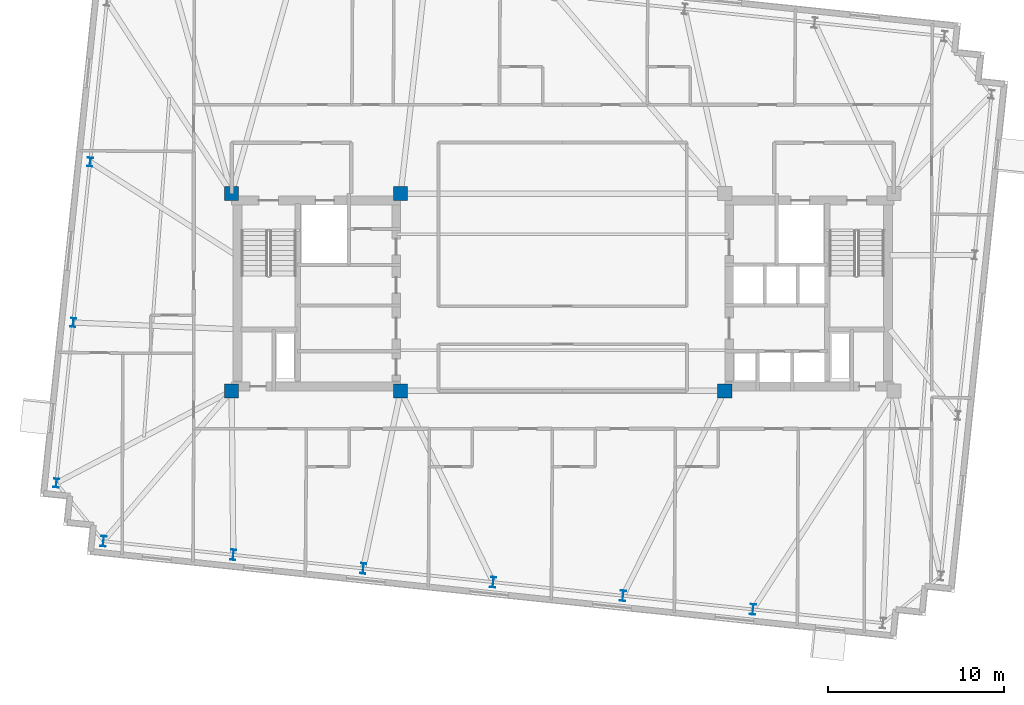
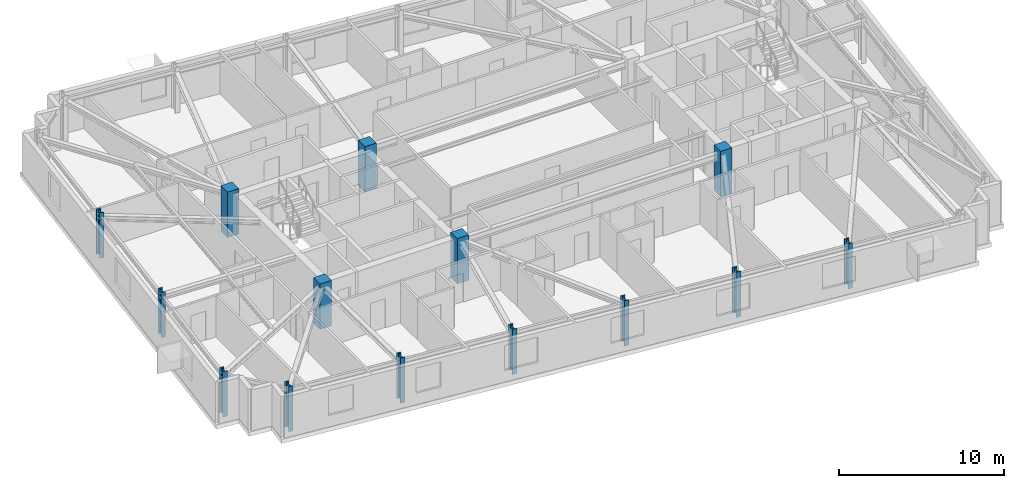
# One storey, part 1 of 11: 14 columns.
"""IFC4 building model written with IfcOpenShell, lengths in metres."""

from ifc_helpers import new_model, si_unit, direction, frame, origin, origin_2d, place, context, subcontext, project, spatial, rectangle, i_section, extrude, material, material_profile, profile_set, type_object, element, save


model = new_model("IFC4")

# Units and contexts
model_context = context("Model", 3, precision=1e-05, world=origin(), true_north=direction((0.0, 1.0)))
body_context = subcontext(model_context, "Body", "Model", "MODEL_VIEW")
ifc_project = project(units=[si_unit("LENGTHUNIT", "METRE"), si_unit("AREAUNIT", "SQUARE_METRE"), si_unit("VOLUMEUNIT", "CUBIC_METRE"), si_unit("PLANEANGLEUNIT", "RADIAN"), si_unit("MASSUNIT", "GRAM", prefix="KILO")], contexts=[model_context])

# Site, building, storey
site_placement = place(None, origin())
site = spatial("IfcSite", under=ifc_project, at=site_placement, CompositionType="ELEMENT")
building_placement = place(site_placement, origin())
building = spatial("IfcBuilding", under=site, at=building_placement, Name="Qobustan Lattice House", CompositionType="ELEMENT")
storey_placement = place(building_placement, frame((0.0, 0.0, 209.800048828125)))
storey = spatial("IfcBuildingStorey", under=building, at=storey_placement, Name="L59", CompositionType="ELEMENT", Elevation=209.800048828125)

# Columns
ifc_material_1 = material(Name="Concrete C50/60", Category="concrete")
ifc_material_profile_1 = material_profile(ifc_material_1, rectangle(XDim=0.800048828125, YDim=0.800048828125, at=origin_2d()), Name="RC800x800")
ifc_profile_set_1 = profile_set([ifc_material_profile_1], Name="Concrete C50/60")
column_type_1 = type_object("IfcColumnType", Name="COL-RC-800", PredefinedType="COLUMN", material=ifc_profile_set_1)
for number, where, z_axis, x_axis, name in (
    (1, (-18.800048828125, -5.60009765625, 0.0), (0.0, 0.0, 1.0), (1.0, 0.0, 0.0), "L59 core mega-column CW-SW"),
    (2, (-18.800048828125, 5.60009765625, 0.0), (0.0, 0.0, 1.0), (1.0, 0.0, 0.0), "L59 core mega-column CW-NW"),
    (3, (-9.199951171875, -5.60009765625, 0.0), (0.0, 0.0, 1.0), (1.0, 0.0, 0.0), "L59 core mega-column CW-SE"),
    (4, (-9.199951171875, 5.60009765625, 0.0), (0.0, 0.0, 1.0), (1.0, 0.0, 0.0), "L59 core mega-column CW-NE"),
    (5, (9.199951171875, -5.60009765625, 0.0), (0.0, 0.0, 1.0), (1.0, 0.0, 0.0), "L59 core mega-column CE-SW"),
):
    element("IfcColumn", number, at=place(storey_placement, frame(where, z_axis=z_axis, x_axis=x_axis)), inside=storey, type_object=column_type_1, Name=name, PredefinedType="COLUMN", context=body_context, shape_type="SweptSolid", body=[
        extrude(rectangle(XDim=0.800048828125, YDim=0.800048828125, at=origin_2d()), origin(), (0.0, 0.0, 1.0), 3.349853515625),
    ])
ifc_material_2 = material(Name="Steel S355", Category="steel")
ifc_material_profile_2 = material_profile(ifc_material_2, i_section(OverallWidth=0.300048828125, OverallDepth=0.5, WebThickness=0.014404296875, FlangeThickness=0.028076171875, FilletRadius=0.027099609375, at=origin_2d()), Name="HEB500")
ifc_profile_set_2 = profile_set([ifc_material_profile_2], Name="Steel S355")
column_type_2 = type_object("IfcColumnType", Name="COL-ST-HEB500", PredefinedType="COLUMN", material=ifc_profile_set_2)
for number, where, z_axis, x_axis, name in (
    (6, (-26.83251953125, 7.397705078125, 0.0), (0.0, 0.0, 1.0), (0.994521895368, -0.104528463268, 0.0), "L59 B4 perimeter column W2"),
    (7, (-27.790771484375, -1.718994140625, 0.0), (0.0, 0.0, 1.0), (0.994521895368, -0.104528463268, 0.0), "L59 B4 perimeter column W3"),
    (8, (-28.748779296875, -10.835205078125, 0.0), (0.0, 0.0, 1.0), (0.994521895368, -0.104528463268, 0.0), "L59 B4 perimeter column W4"),
):
    element("IfcColumn", number, at=place(storey_placement, frame(where, z_axis=z_axis, x_axis=x_axis)), inside=storey, type_object=column_type_2, Name=name, PredefinedType="COLUMN", context=body_context, shape_type="SweptSolid", body=[
        extrude(i_section(OverallWidth=0.300048828125, OverallDepth=0.5, WebThickness=0.014404296875, FlangeThickness=0.028076171875, FilletRadius=0.027099609375, at=origin_2d()), origin(), (0.0, 0.0, 1.0), 3.349853515625),
    ])
ifc_material_3 = material(Name="Steel S355", Category="steel")
ifc_material_profile_3 = material_profile(ifc_material_3, i_section(OverallWidth=0.300048828125, OverallDepth=0.60009765625, WebThickness=0.015380859375, FlangeThickness=0.030029296875, FilletRadius=0.027099609375, at=origin_2d()), Name="HEB600")
ifc_profile_set_3 = profile_set([ifc_material_profile_3], Name="Steel S355")
column_type_3 = type_object("IfcColumnType", Name="COL-ST-HEB600", PredefinedType="COLUMN", material=ifc_profile_set_3)
for number, where, z_axis, x_axis, name in (
    (9, (-26.0791015625, -14.132568359375, 0.0), (0.0, 0.0, 1.0), (0.994521895368, -0.104528463268, 0.0), "L59 B4 perimeter column S1"),
    (10, (-18.702880859375, -14.90771484375, 0.0), (0.0, 0.0, 1.0), (0.994521895368, -0.104528463268, 0.0), "L59 B4 perimeter column S2"),
    (11, (-11.326904296875, -15.68310546875, 0.0), (0.0, 0.0, 1.0), (0.994521895368, -0.104528463268, 0.0), "L59 B4 perimeter column S3"),
    (12, (-3.950927734375, -16.458251953125, 0.0), (0.0, 0.0, 1.0), (0.994521895368, -0.104528463268, 0.0), "L59 B4 perimeter column S4"),
    (13, (3.42529296875, -17.2333984375, 0.0), (0.0, 0.0, 1.0), (0.994521895368, -0.104528463268, 0.0), "L59 B4 perimeter column S5"),
    (14, (10.80126953125, -18.0087890625, 0.0), (0.0, 0.0, 1.0), (0.994521895368, -0.104528463268, 0.0), "L59 B4 perimeter column S6"),
):
    element("IfcColumn", number, at=place(storey_placement, frame(where, z_axis=z_axis, x_axis=x_axis)), inside=storey, type_object=column_type_3, Name=name, PredefinedType="COLUMN", context=body_context, shape_type="SweptSolid", body=[
        extrude(i_section(OverallWidth=0.300048828125, OverallDepth=0.60009765625, WebThickness=0.015380859375, FlangeThickness=0.030029296875, FilletRadius=0.027099609375, at=origin_2d()), origin(), (0.0, 0.0, 1.0), 3.349853515625),
    ])

save(model, "model.ifc")
